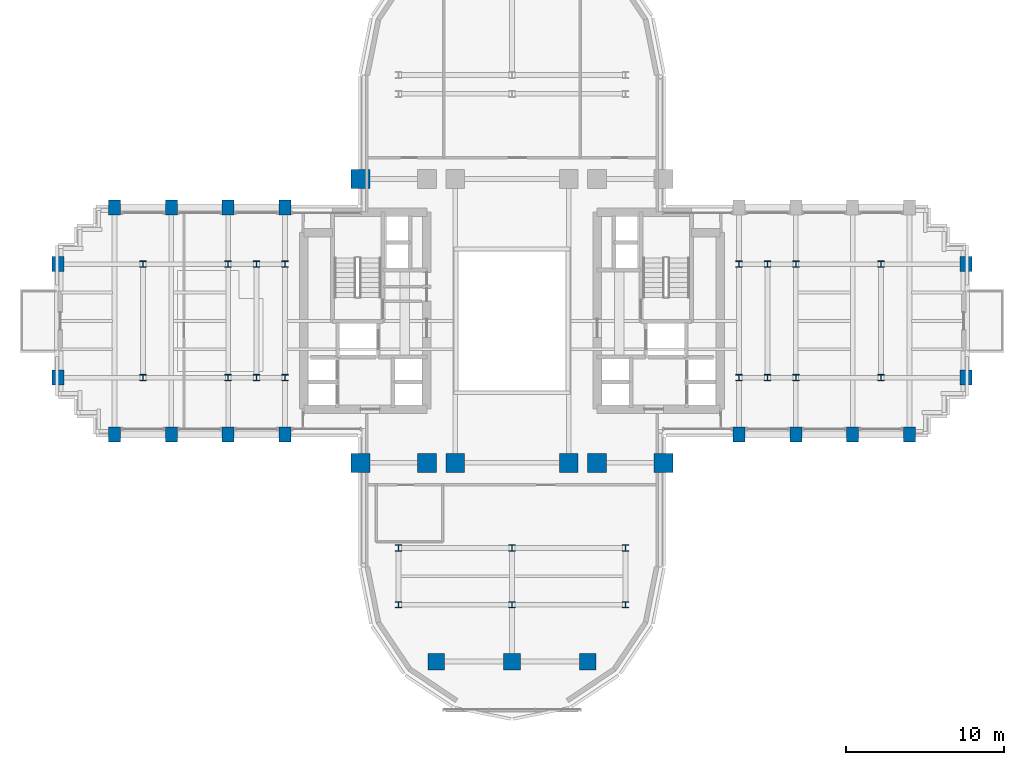
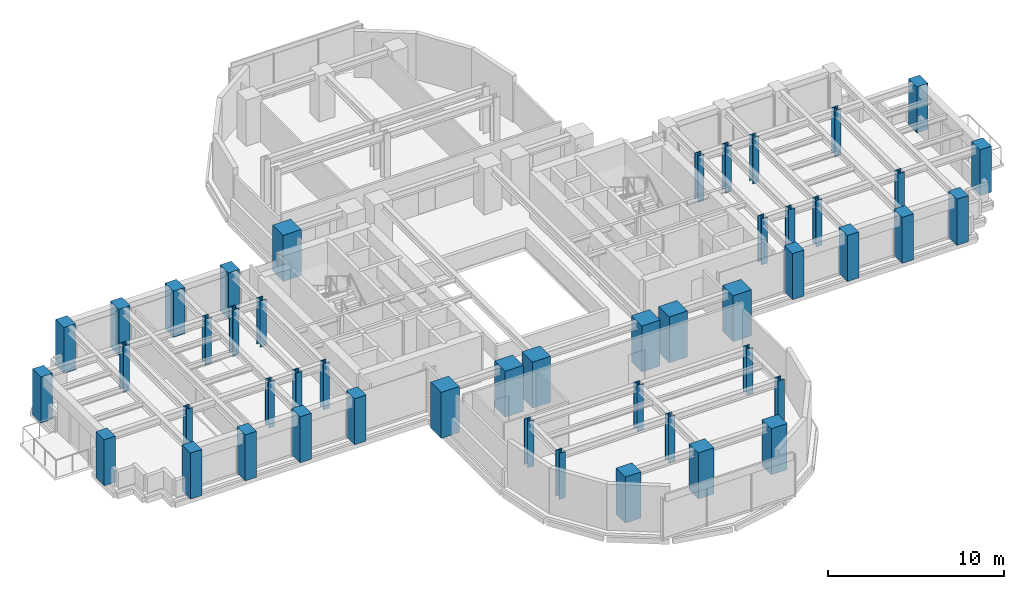
# One storey, part 1 of 15: 48 columns.
"""IFC4 building model written with IfcOpenShell, lengths in metres."""

from ifc_helpers import new_model, si_unit, direction, frame, origin, origin_2d, place, context, subcontext, project, spatial, rectangle, i_section, extrude, source, transform, mapped, material, material_profile, profile_set, type_object, element, save


model = new_model("IFC4")

# Units and contexts
model_context = context("Model", 3, precision=1e-05, world=origin(), true_north=direction((0.0, 1.0)))
body_context = subcontext(model_context, "Body", "Model", "MODEL_VIEW")
ifc_project = project(units=[si_unit("LENGTHUNIT", "METRE"), si_unit("AREAUNIT", "SQUARE_METRE"), si_unit("VOLUMEUNIT", "CUBIC_METRE"), si_unit("PLANEANGLEUNIT", "RADIAN"), si_unit("MASSUNIT", "GRAM", prefix="KILO")], contexts=[model_context])

# Site, building, storey
site_placement = place(None, origin())
site = spatial("IfcSite", under=ifc_project, at=site_placement, CompositionType="ELEMENT")
building_placement = place(site_placement, origin())
building = spatial("IfcBuilding", under=site, at=building_placement, Name="Keilestroom Media Tower", CompositionType="ELEMENT")
storey_placement = place(building_placement, frame((0.0, 0.0, 40.800048828125)))
storey = spatial("IfcBuildingStorey", under=building, at=storey_placement, Name="L09", CompositionType="ELEMENT", Elevation=40.800048828125)

# Columns
ifc_material_1 = material(Name="Precast concrete C40/50", Category="concrete")
ifc_material_profile_1 = material_profile(ifc_material_1, rectangle(XDim=0.75, YDim=0.949951171875, at=origin_2d()), Name="PC 950x750")
ifc_profile_set_1 = profile_set([ifc_material_profile_1], Name="Precast concrete C40/50")
column_type_1 = type_object("IfcColumnType", Name="Structural-Column-PC-950x750", PredefinedType="COLUMN", material=ifc_profile_set_1)
shared_shape_1 = source(origin(), body_context, "Body", "SweptSolid", [
    extrude(rectangle(XDim=0.75, YDim=0.949951171875, at=origin_2d()), origin(), (0.0, 0.0, 1.0), 3.199951171875),
])
for number, where, z_axis, x_axis, name in (
    (1, (-28.800048828125, -3.60009765625, 0.0), (0.0, 0.0, 1.0), (1.0, 0.0, 0.0), "L09 Column PC-1 (-28.8,-3.6)"),
    (2, (-28.800048828125, 3.60009765625, 0.0), (0.0, 0.0, 1.0), (1.0, 0.0, 0.0), "L09 Column PC-1 (-28.8,+3.6)"),
    (3, (-25.199951171875, -7.199951171875, 0.0), (0.0, 0.0, 1.0), (1.0, 0.0, 0.0), "L09 Column PC-1 (-25.2,-7.2)"),
    (4, (-25.199951171875, 7.199951171875, 0.0), (0.0, 0.0, 1.0), (1.0, 0.0, 0.0), "L09 Column PC-1 (-25.2,+7.2)"),
    (5, (-21.60009765625, -7.199951171875, 0.0), (0.0, 0.0, 1.0), (1.0, 0.0, 0.0), "L09 Column PC-1 (-21.6,-7.2)"),
    (6, (-21.60009765625, 7.199951171875, 0.0), (0.0, 0.0, 1.0), (1.0, 0.0, 0.0), "L09 Column PC-1 (-21.6,+7.2)"),
    (7, (-18.0, -7.199951171875, 0.0), (0.0, 0.0, 1.0), (1.0, 0.0, 0.0), "L09 Column PC-1 (-18.0,-7.2)"),
    (8, (-18.0, 7.199951171875, 0.0), (0.0, 0.0, 1.0), (1.0, 0.0, 0.0), "L09 Column PC-1 (-18.0,+7.2)"),
    (9, (-14.39990234375, -7.199951171875, 0.0), (0.0, 0.0, 1.0), (1.0, 0.0, 0.0), "L09 Column PC-1 (-14.4,-7.2)"),
    (10, (-14.39990234375, 7.199951171875, 0.0), (0.0, 0.0, 1.0), (1.0, 0.0, 0.0), "L09 Column PC-1 (-14.4,+7.2)"),
    (11, (14.39990234375, -7.199951171875, 0.0), (0.0, 0.0, 1.0), (1.0, 0.0, 0.0), "L09 Column PC-1 (+14.4,-7.2)"),
    (12, (18.0, -7.199951171875, 0.0), (0.0, 0.0, 1.0), (1.0, 0.0, 0.0), "L09 Column PC-1 (+18.0,-7.2)"),
    (13, (21.60009765625, -7.199951171875, 0.0), (0.0, 0.0, 1.0), (1.0, 0.0, 0.0), "L09 Column PC-1 (+21.6,-7.2)"),
    (14, (25.199951171875, -7.199951171875, 0.0), (0.0, 0.0, 1.0), (1.0, 0.0, 0.0), "L09 Column PC-1 (+25.2,-7.2)"),
    (15, (28.800048828125, -3.60009765625, 0.0), (0.0, 0.0, 1.0), (1.0, 0.0, 0.0), "L09 Column PC-1 (+28.8,-3.6)"),
    (16, (28.800048828125, 3.60009765625, 0.0), (0.0, 0.0, 1.0), (1.0, 0.0, 0.0), "L09 Column PC-1 (+28.8,+3.6)"),
):
    element("IfcColumn", number, at=place(storey_placement, frame(where, z_axis=z_axis, x_axis=x_axis)), inside=storey, type_object=column_type_1, Name=name, PredefinedType="COLUMN", context=body_context, shape_type="MappedRepresentation", body=[
        mapped(shared_shape_1, transform((0.0, 0.0, 0.0), x_axis=(1.0, 0.0, 0.0), y_axis=(0.0, 1.0, 0.0), z_axis=(0.0, 0.0, 1.0), scale=1.0)),
    ])
ifc_material_2 = material(Name="Steel S460", Category="steel")
ifc_material_profile_2 = material_profile(ifc_material_2, i_section(OverallWidth=0.404052734375, OverallDepth=0.406982421875, WebThickness=0.02197265625, FlangeThickness=0.035400390625, at=origin_2d()), Name="HD 400x347")
ifc_profile_set_2 = profile_set([ifc_material_profile_2], Name="Steel S460")
column_type_2 = type_object("IfcColumnType", Name="Structural-Column-HD-400x347", PredefinedType="COLUMN", material=ifc_profile_set_2)
shared_shape_2 = source(origin(), body_context, "Body", "SweptSolid", [
    extrude(i_section(OverallWidth=0.404052734375, OverallDepth=0.406982421875, WebThickness=0.02197265625, FlangeThickness=0.035400390625, at=origin_2d()), origin(), (0.0, 0.0, 1.0), 3.199951171875),
])
for number, where, z_axis, x_axis, name in (
    (17, (-23.39990234375, -3.60009765625, 0.0), (0.0, 0.0, 1.0), (1.0, 0.0, 0.0), "L09 Column SC-2 (-23.4,-3.6)"),
    (18, (-23.39990234375, 3.60009765625, 0.0), (0.0, 0.0, 1.0), (1.0, 0.0, 0.0), "L09 Column SC-2 (-23.4,+3.6)"),
    (19, (-18.0, -3.60009765625, 0.0), (0.0, 0.0, 1.0), (1.0, 0.0, 0.0), "L09 Column SC-2 (-18.0,-3.6)"),
    (20, (-18.0, 3.60009765625, 0.0), (0.0, 0.0, 1.0), (1.0, 0.0, 0.0), "L09 Column SC-2 (-18.0,+3.6)"),
    (21, (-16.199951171875, -3.60009765625, 0.0), (0.0, 0.0, 1.0), (1.0, 0.0, 0.0), "L09 Column SC-2 (-16.2,-3.6)"),
    (22, (-16.199951171875, 3.60009765625, 0.0), (0.0, 0.0, 1.0), (1.0, 0.0, 0.0), "L09 Column SC-2 (-16.2,+3.6)"),
    (23, (-14.39990234375, -3.60009765625, 0.0), (0.0, 0.0, 1.0), (1.0, 0.0, 0.0), "L09 Column SC-2 (-14.4,-3.6)"),
    (24, (-14.39990234375, 3.60009765625, 0.0), (0.0, 0.0, 1.0), (1.0, 0.0, 0.0), "L09 Column SC-2 (-14.4,+3.6)"),
    (25, (-7.199951171875, -18.0, 0.0), (0.0, 0.0, 1.0), (1.0, 0.0, 0.0), "L09 Column SC-2 (-7.2,-18.0)"),
    (26, (-7.199951171875, -14.39990234375, 0.0), (0.0, 0.0, 1.0), (1.0, 0.0, 0.0), "L09 Column SC-2 (-7.2,-14.4)"),
    (27, (0.0, -18.0, 0.0), (0.0, 0.0, 1.0), (1.0, 0.0, 0.0), "L09 Column SC-2 (+0.0,-18.0)"),
    (28, (0.0, -14.39990234375, 0.0), (0.0, 0.0, 1.0), (1.0, 0.0, 0.0), "L09 Column SC-2 (+0.0,-14.4)"),
    (29, (7.199951171875, -18.0, 0.0), (0.0, 0.0, 1.0), (1.0, 0.0, 0.0), "L09 Column SC-2 (+7.2,-18.0)"),
    (30, (7.199951171875, -14.39990234375, 0.0), (0.0, 0.0, 1.0), (1.0, 0.0, 0.0), "L09 Column SC-2 (+7.2,-14.4)"),
    (31, (14.39990234375, -3.60009765625, 0.0), (0.0, 0.0, 1.0), (1.0, 0.0, 0.0), "L09 Column SC-2 (+14.4,-3.6)"),
    (32, (14.39990234375, 3.60009765625, 0.0), (0.0, 0.0, 1.0), (1.0, 0.0, 0.0), "L09 Column SC-2 (+14.4,+3.6)"),
    (33, (16.199951171875, -3.60009765625, 0.0), (0.0, 0.0, 1.0), (1.0, 0.0, 0.0), "L09 Column SC-2 (+16.2,-3.6)"),
    (34, (16.199951171875, 3.60009765625, 0.0), (0.0, 0.0, 1.0), (1.0, 0.0, 0.0), "L09 Column SC-2 (+16.2,+3.6)"),
    (35, (18.0, -3.60009765625, 0.0), (0.0, 0.0, 1.0), (1.0, 0.0, 0.0), "L09 Column SC-2 (+18.0,-3.6)"),
    (36, (18.0, 3.60009765625, 0.0), (0.0, 0.0, 1.0), (1.0, 0.0, 0.0), "L09 Column SC-2 (+18.0,+3.6)"),
    (37, (23.39990234375, -3.60009765625, 0.0), (0.0, 0.0, 1.0), (1.0, 0.0, 0.0), "L09 Column SC-2 (+23.4,-3.6)"),
    (38, (23.39990234375, 3.60009765625, 0.0), (0.0, 0.0, 1.0), (1.0, 0.0, 0.0), "L09 Column SC-2 (+23.4,+3.6)"),
):
    element("IfcColumn", number, at=place(storey_placement, frame(where, z_axis=z_axis, x_axis=x_axis)), inside=storey, type_object=column_type_2, Name=name, PredefinedType="COLUMN", context=body_context, shape_type="MappedRepresentation", body=[
        mapped(shared_shape_2, transform((0.0, 0.0, 0.0), x_axis=(1.0, 0.0, 0.0), y_axis=(0.0, 1.0, 0.0), z_axis=(0.0, 0.0, 1.0), scale=1.0)),
    ])
ifc_material_3 = material(Name="Concrete C70/85", Category="concrete")
ifc_material_profile_3 = material_profile(ifc_material_3, rectangle(XDim=1.199951171875, YDim=1.199951171875, at=origin_2d()), Name="RC 1200x1200")
ifc_profile_set_3 = profile_set([ifc_material_profile_3], Name="Concrete C70/85")
column_type_3 = type_object("IfcColumnType", Name="Structural-Column-RC-1200x1200", PredefinedType="COLUMN", material=ifc_profile_set_3)
shared_shape_3 = source(origin(), body_context, "Body", "SweptSolid", [
    extrude(rectangle(XDim=1.199951171875, YDim=1.199951171875, at=origin_2d()), origin(), (0.0, 0.0, 1.0), 3.199951171875),
])
for number, where, z_axis, x_axis, name in (
    (39, (-9.60009765625, -9.0, 0.0), (0.0, 0.0, 1.0), (1.0, 0.0, 0.0), "L09 Column MC-2 (-9.6,-9.0)"),
    (40, (-9.60009765625, 9.0, 0.0), (0.0, 0.0, 1.0), (1.0, 0.0, 0.0), "L09 Column MC-2 (-9.6,+9.0)"),
    (41, (-5.39990234375, -9.0, 0.0), (0.0, 0.0, 1.0), (1.0, 0.0, 0.0), "L09 Column MC-2 (-5.4,-9.0)"),
    (42, (-3.60009765625, -9.0, 0.0), (0.0, 0.0, 1.0), (1.0, 0.0, 0.0), "L09 Column MC-2 (-3.6,-9.0)"),
    (43, (3.60009765625, -9.0, 0.0), (0.0, 0.0, 1.0), (1.0, 0.0, 0.0), "L09 Column MC-2 (+3.6,-9.0)"),
    (44, (5.39990234375, -9.0, 0.0), (0.0, 0.0, 1.0), (1.0, 0.0, 0.0), "L09 Column MC-2 (+5.4,-9.0)"),
    (45, (9.60009765625, -9.0, 0.0), (0.0, 0.0, 1.0), (1.0, 0.0, 0.0), "L09 Column MC-2 (+9.6,-9.0)"),
):
    element("IfcColumn", number, at=place(storey_placement, frame(where, z_axis=z_axis, x_axis=x_axis)), inside=storey, type_object=column_type_3, Name=name, PredefinedType="COLUMN", context=body_context, shape_type="MappedRepresentation", body=[
        mapped(shared_shape_3, transform((0.0, 0.0, 0.0), x_axis=(1.0, 0.0, 0.0), y_axis=(0.0, 1.0, 0.0), z_axis=(0.0, 0.0, 1.0), scale=1.0)),
    ])
ifc_material_4 = material(Name="Concrete C55/67", Category="concrete")
ifc_material_profile_4 = material_profile(ifc_material_4, rectangle(XDim=1.050048828125, YDim=1.050048828125, at=origin_2d()), Name="RC 1050x1050")
ifc_profile_set_4 = profile_set([ifc_material_profile_4], Name="Concrete C55/67")
column_type_4 = type_object("IfcColumnType", Name="Structural-Column-RC-1050x1050", PredefinedType="COLUMN", material=ifc_profile_set_4)
shared_shape_4 = source(origin(), body_context, "Body", "SweptSolid", [
    extrude(rectangle(XDim=1.050048828125, YDim=1.050048828125, at=origin_2d()), origin(), (0.0, 0.0, 1.0), 3.199951171875),
])
for number, where, z_axis, x_axis, name in (
    (46, (-4.800048828125, -21.60009765625, 0.0), (0.0, 0.0, 1.0), (1.0, 0.0, 0.0), "L09 Column MC-3 (-4.8,-21.6)"),
    (47, (0.0, -21.60009765625, 0.0), (0.0, 0.0, 1.0), (1.0, 0.0, 0.0), "L09 Column MC-3 (+0.0,-21.6)"),
    (48, (4.800048828125, -21.60009765625, 0.0), (0.0, 0.0, 1.0), (1.0, 0.0, 0.0), "L09 Column MC-3 (+4.8,-21.6)"),
):
    element("IfcColumn", number, at=place(storey_placement, frame(where, z_axis=z_axis, x_axis=x_axis)), inside=storey, type_object=column_type_4, Name=name, PredefinedType="COLUMN", context=body_context, shape_type="MappedRepresentation", body=[
        mapped(shared_shape_4, transform((0.0, 0.0, 0.0), x_axis=(1.0, 0.0, 0.0), y_axis=(0.0, 1.0, 0.0), z_axis=(0.0, 0.0, 1.0), scale=1.0)),
    ])

save(model, "model.ifc")
